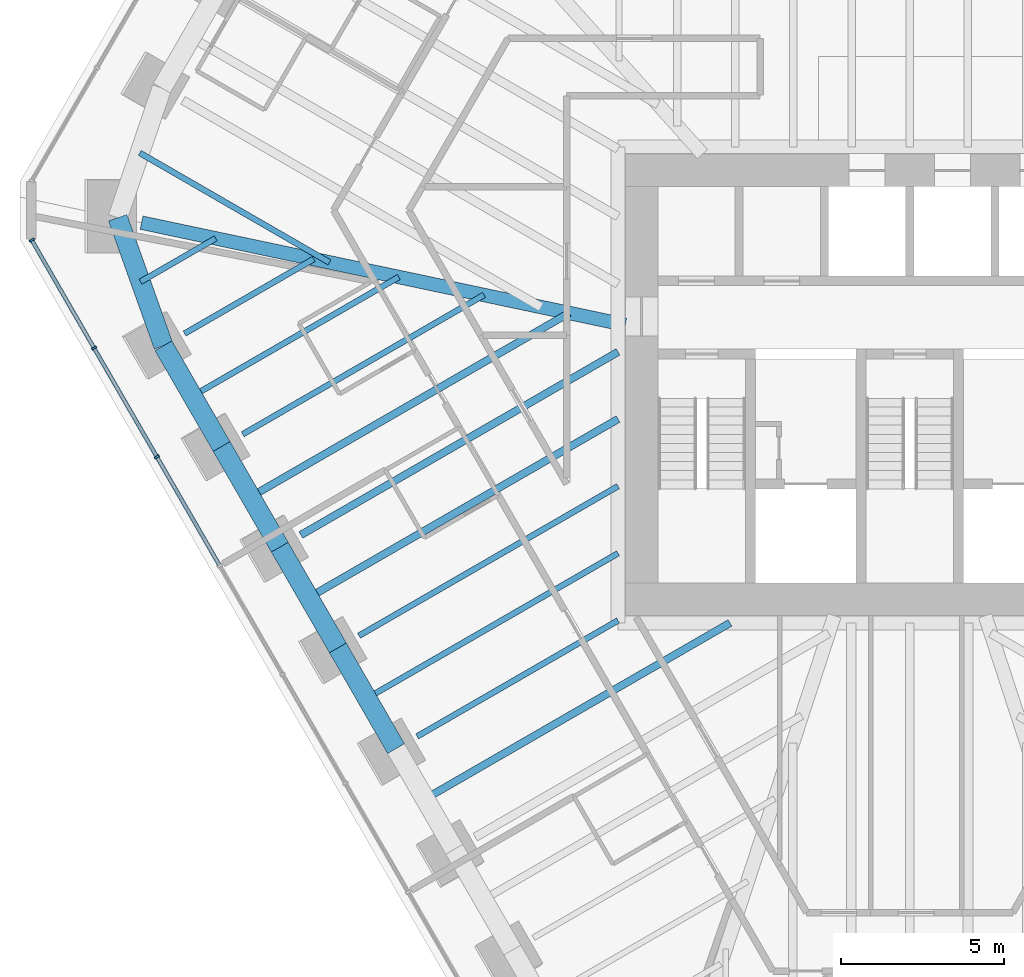
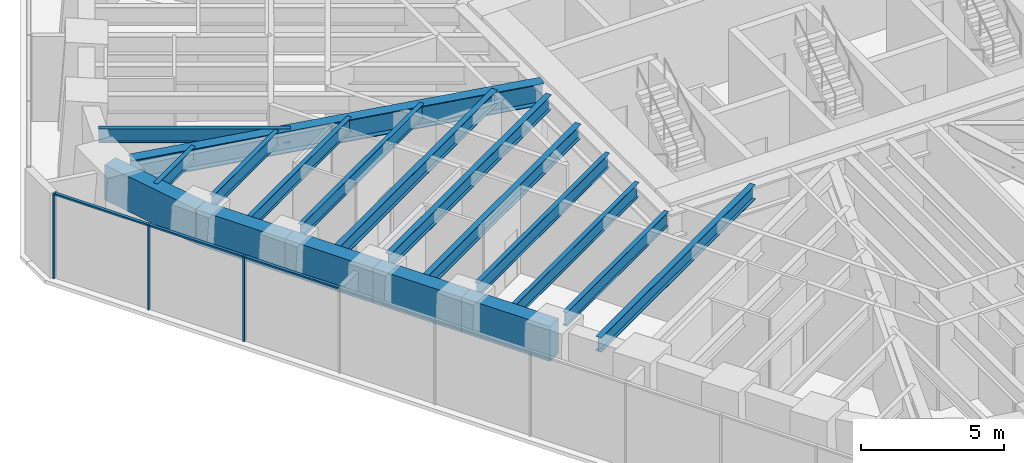
# One storey, part 3 of 17: 18 beams, 6 members, 1 element without a shape of its own.
"""IFC4 building model written with IfcOpenShell, lengths in metres."""

from ifc_helpers import new_model, si_unit, direction, frame, origin, origin_2d, place, context, subcontext, project, spatial, rectangle, i_section, extrude, material, material_profile, profile_set, type_object, element, aggregate, save


model = new_model("IFC4")

# Units and contexts
model_context = context("Model", 3, precision=1e-05, world=origin(), true_north=direction((0.0, 1.0)))
body_context = subcontext(model_context, "Body", "Model", "MODEL_VIEW")
ifc_project = project(units=[si_unit("LENGTHUNIT", "METRE"), si_unit("AREAUNIT", "SQUARE_METRE"), si_unit("VOLUMEUNIT", "CUBIC_METRE"), si_unit("PLANEANGLEUNIT", "RADIAN"), si_unit("MASSUNIT", "GRAM", prefix="KILO")], contexts=[model_context])

# Site, building, storey
site_placement = place(None, origin())
site = spatial("IfcSite", under=ifc_project, at=site_placement, CompositionType="ELEMENT")
building_placement = place(site_placement, origin())
building = spatial("IfcBuilding", under=site, at=building_placement, Name="Sandreach Pilgrim Tower", CompositionType="ELEMENT")
storey_placement = place(building_placement, frame((0.0, 0.0, 240.199951171875)))
storey = spatial("IfcBuildingStorey", under=building, at=storey_placement, Name="L60", CompositionType="ELEMENT", Elevation=240.199951171875)

# Curtain wall, members
ifc_material_1 = material(Name="Aluminium framed curtain wall", Category="aluminium")
curtain_wall_type = type_object("IfcCurtainWallType", Name="Upper hotel tower curtain wall", PredefinedType="NOTDEFINED", material=ifc_material_1)
curtain_wall_placement = place(storey_placement, origin())
curtain_wall = element("IfcCurtainWall", 1, at=curtain_wall_placement, inside=storey, type_object=curtain_wall_type, Name="CW-3 L60 SW", PredefinedType="NOTDEFINED")
ifc_material_2 = material(Name="Aluminium extrusion", Category="aluminium")
ifc_material_profile_1 = material_profile(ifc_material_2, rectangle(XDim=0.06494140625, YDim=0.159912109375, at=origin_2d()), Name="CW-3M 65X160")
ifc_profile_set_1 = profile_set([ifc_material_profile_1], Name="Aluminium extrusion")
member_type_1 = type_object("IfcMemberType", Name="CW-3 mullion", PredefinedType="MULLION", material=ifc_profile_set_1)
member_1_placement = place(storey_placement, frame((-23.15576171875, -2.21337890625, 0.0), z_axis=(0.0, 0.0, 1.0), x_axis=(-0.5, 0.866025403784, 0.0)))
member_1 = element("IfcMember", 2, at=member_1_placement, type_object=member_type_1, Name="CW-3 mullion 8", PredefinedType="MULLION", context=body_context, shape_type="SweptSolid", body=[
    extrude(rectangle(XDim=0.06494140625, YDim=0.159912109375, at=origin_2d()), origin(), (0.0, 0.0, 1.0), 3.64013671875),
])
member_2_placement = place(storey_placement, frame((-25.087890625, 1.13330078125, 0.0), z_axis=(0.0, 0.0, 1.0), x_axis=(-0.5, 0.866025403784, 0.0)))
member_2 = element("IfcMember", 3, at=member_2_placement, type_object=member_type_1, Name="CW-3 mullion 9", PredefinedType="MULLION", context=body_context, shape_type="SweptSolid", body=[
    extrude(rectangle(XDim=0.06494140625, YDim=0.159912109375, at=origin_2d()), origin(), (0.0, 0.0, 1.0), 3.64013671875),
])
member_3_placement = place(storey_placement, frame((-27.00390625, 4.451904296875, 0.0), z_axis=(0.0, 0.0, 1.0), x_axis=(-0.5, 0.866025403784, 0.0)))
member_3 = element("IfcMember", 4, at=member_3_placement, type_object=member_type_1, Name="CW-3 mullion 10", PredefinedType="MULLION", context=body_context, shape_type="SweptSolid", body=[
    extrude(rectangle(XDim=0.06494140625, YDim=0.159912109375, at=origin_2d()), origin(), (0.0, 0.0, 1.0), 3.64013671875),
])
ifc_material_3 = material(Name="Aluminium extrusion", Category="aluminium")
ifc_material_profile_2 = material_profile(ifc_material_3, rectangle(XDim=0.1201171875, YDim=0.070068359375, at=origin_2d()), Name="CW-3T 120X70")
ifc_profile_set_2 = profile_set([ifc_material_profile_2], Name="Aluminium extrusion")
member_type_2 = type_object("IfcMemberType", Name="CW-3 transom", PredefinedType="USERDEFINED", material=ifc_profile_set_2)
member_4_placement = place(storey_placement, frame((-21.23974609375, -5.531982421875, 3.60498046875), z_axis=(-0.499974606132, 0.866040064445, 0.0), x_axis=(-0.866040064445, -0.499974606132, 0.0)))
member_4 = element("IfcMember", 5, at=member_4_placement, type_object=member_type_2, Name="CW-3 head transom 7", ObjectType="TRANSOM", PredefinedType="USERDEFINED", context=body_context, shape_type="SweptSolid", body=[
    extrude(rectangle(XDim=0.1201171875, YDim=0.070068359375, at=origin_2d()), origin(), (0.0, 0.0, 1.0), 3.799560546875),
])
member_5_placement = place(storey_placement, frame((-23.171875, -2.185302734375, 3.60498046875), z_axis=(-0.500022797313, 0.86601224135, 0.0), x_axis=(-0.86601224135, -0.500022797313, 0.0)))
member_5 = element("IfcMember", 6, at=member_5_placement, type_object=member_type_2, Name="CW-3 head transom 8", ObjectType="TRANSOM", PredefinedType="USERDEFINED", context=body_context, shape_type="SweptSolid", body=[
    extrude(rectangle(XDim=0.1201171875, YDim=0.070068359375, at=origin_2d()), origin(), (0.0, 0.0, 1.0), 3.799560546875),
])
member_6_placement = place(storey_placement, frame((-25.104248046875, 1.161376953125, 3.60498046875), z_axis=(-0.499944992379, 0.86605716012, 0.0), x_axis=(-0.86605716012, -0.499944992379, 0.0)))
member_6 = element("IfcMember", 7, at=member_6_placement, type_object=member_type_2, Name="CW-3 head transom 9", ObjectType="TRANSOM", PredefinedType="USERDEFINED", context=body_context, shape_type="SweptSolid", body=[
    extrude(rectangle(XDim=0.1201171875, YDim=0.070068359375, at=origin_2d()), origin(), (0.0, 0.0, 1.0), 3.76708984375),
])
aggregate(curtain_wall, [member_1, member_2, member_3, member_4, member_5, member_6])

# Beams
ifc_material_4 = material(Name="Steel ASTM A992 Grade 50", Category="steel")
ifc_material_profile_3 = material_profile(ifc_material_4, i_section(OverallWidth=0.419189453125, OverallDepth=0.927001953125, WebThickness=0.019287109375, FlangeThickness=0.031982421875, at=origin_2d()), Name="W36X231")
ifc_profile_set_3 = profile_set([ifc_material_profile_3], Name="Steel ASTM A992 Grade 50")
beam_type_1 = type_object("IfcBeamType", Name="Corner girder W36X231", PredefinedType="BEAM", material=ifc_profile_set_3)
beam_1_placement = place(storey_placement, frame((-23.628173828125, 4.98876953125, 3.176513671875), z_axis=(0.978428839733, -0.206584136802, 0.0), x_axis=(0.206584136802, 0.978428839733, 0.0)))
element("IfcBeam", 8, at=beam_1_placement, inside=storey, type_object=beam_type_1, Name="BM L60 CG35", PredefinedType="BEAM", context=body_context, shape_type="SweptSolid", body=[
    extrude(i_section(OverallWidth=0.419189453125, OverallDepth=0.927001953125, WebThickness=0.019287109375, FlangeThickness=0.031982421875, at=origin_2d()), origin(), (0.0, 0.0, 1.0), 15.206298828125),
])
ifc_material_5 = material(Name="Steel ASTM A992 Grade 50", Category="steel")
ifc_material_profile_4 = material_profile(ifc_material_5, i_section(OverallWidth=0.1787109375, OverallDepth=0.60205078125, WebThickness=0.010986328125, FlangeThickness=0.014892578125, at=origin_2d()), Name="W24X62")
ifc_profile_set_4 = profile_set([ifc_material_profile_4], Name="Steel ASTM A992 Grade 50")
beam_type_2 = type_object("IfcBeamType", Name="Floor beam W24X62", PredefinedType="BEAM", material=ifc_profile_set_4)
beam_2_placement = place(storey_placement, frame((-15.150634765625, -10.812255859375, 3.339111328125), z_axis=(0.866025452127, 0.499999916269, 0.0), x_axis=(-0.499999916269, 0.866025452127, 0.0)))
element("IfcBeam", 9, at=beam_2_placement, inside=storey, type_object=beam_type_2, Name="BM L60 F30", PredefinedType="BEAM", context=body_context, shape_type="SweptSolid", body=[
    extrude(i_section(OverallWidth=0.1787109375, OverallDepth=0.60205078125, WebThickness=0.010986328125, FlangeThickness=0.014892578125, at=origin_2d()), origin(), (0.0, 0.0, 1.0), 7.13427734375),
])
beam_3_placement = place(storey_placement, frame((-16.93896484375, -7.714599609375, 3.339111328125), z_axis=(0.86602648383, 0.499998129301, 0.0), x_axis=(-0.499998129301, 0.86602648383, 0.0)))
element("IfcBeam", 10, at=beam_3_placement, inside=storey, type_object=beam_type_2, Name="BM L60 F31", PredefinedType="BEAM", context=body_context, shape_type="SweptSolid", body=[
    extrude(i_section(OverallWidth=0.1787109375, OverallDepth=0.60205078125, WebThickness=0.010986328125, FlangeThickness=0.014892578125, at=origin_2d()), origin(), (0.0, 0.0, 1.0), 9.19921875),
])
beam_4_placement = place(storey_placement, frame((-20.515869140625, -1.519287109375, 3.339111328125), z_axis=(0.866025207386, 0.500000340173, 0.0), x_axis=(-0.500000340173, 0.866025207386, 0.0)))
element("IfcBeam", 11, at=beam_4_placement, inside=storey, type_object=beam_type_2, Name="BM L60 F33", PredefinedType="BEAM", context=body_context, shape_type="SweptSolid", body=[
    extrude(i_section(OverallWidth=0.1787109375, OverallDepth=0.60205078125, WebThickness=0.010986328125, FlangeThickness=0.014892578125, at=origin_2d()), origin(), (0.0, 0.0, 1.0), 8.568359375),
])
beam_5_placement = place(storey_placement, frame((-22.304443359375, 1.578369140625, 3.339111328125), z_axis=(0.866025975094, 0.499999010461, 0.0), x_axis=(-0.499999010461, 0.866025975094, 0.0)))
element("IfcBeam", 12, at=beam_5_placement, inside=storey, type_object=beam_type_2, Name="BM L60 F34", PredefinedType="BEAM", context=body_context, shape_type="SweptSolid", body=[
    extrude(i_section(OverallWidth=0.1787109375, OverallDepth=0.60205078125, WebThickness=0.010986328125, FlangeThickness=0.014892578125, at=origin_2d()), origin(), (0.0, 0.0, 1.0), 4.5849609375),
])
beam_6_placement = place(storey_placement, frame((-16.6943359375, -9.638427734375, 3.339111328125), z_axis=(0.866020531195, 0.500008439478, 0.0), x_axis=(-0.500008439478, 0.866020531195, 0.0)))
element("IfcBeam", 13, at=beam_6_placement, inside=storey, type_object=beam_type_2, Name="BM L60 FM30", PredefinedType="BEAM", context=body_context, shape_type="SweptSolid", body=[
    extrude(i_section(OverallWidth=0.1787109375, OverallDepth=0.60205078125, WebThickness=0.010986328125, FlangeThickness=0.014892578125, at=origin_2d()), origin(), (0.0, 0.0, 1.0), 8.916748046875),
])
beam_7_placement = place(storey_placement, frame((-22.0595703125, -0.345458984375, 3.339111328125), z_axis=(0.866021885163, 0.500006094381, 0.0), x_axis=(-0.500006094381, 0.866021885163, 0.0)))
element("IfcBeam", 14, at=beam_7_placement, inside=storey, type_object=beam_type_2, Name="BM L60 FM33", PredefinedType="BEAM", context=body_context, shape_type="SweptSolid", body=[
    extrude(i_section(OverallWidth=0.1787109375, OverallDepth=0.60205078125, WebThickness=0.010986328125, FlangeThickness=0.014892578125, at=origin_2d()), origin(), (0.0, 0.0, 1.0), 7.32666015625),
])
beam_8_placement = place(storey_placement, frame((-23.657958984375, 3.17333984375, 3.339111328125), z_axis=(0.865981341435, 0.500076310463, 0.0), x_axis=(-0.500076310463, 0.865981341435, 0.0)))
element("IfcBeam", 15, at=beam_8_placement, inside=storey, type_object=beam_type_2, Name="BM L60 FM34", PredefinedType="BEAM", context=body_context, shape_type="SweptSolid", body=[
    extrude(i_section(OverallWidth=0.1787109375, OverallDepth=0.60205078125, WebThickness=0.010986328125, FlangeThickness=0.014892578125, at=origin_2d()), origin(), (0.0, 0.0, 1.0), 2.66748046875),
])
beam_9_placement = place(storey_placement, frame((-23.682861328125, 7.13623046875, 3.339111328125), z_axis=(0.866032863903, -0.499987078473, 0.0), x_axis=(0.499987078473, 0.866032863903, 0.0)))
element("IfcBeam", 16, at=beam_9_placement, inside=storey, type_object=beam_type_2, Name="BM L60 FM35", PredefinedType="BEAM", context=body_context, shape_type="SweptSolid", body=[
    extrude(i_section(OverallWidth=0.1787109375, OverallDepth=0.60205078125, WebThickness=0.010986328125, FlangeThickness=0.014892578125, at=origin_2d()), origin(), (0.0, 0.0, 1.0), 6.735107421875),
])
ifc_material_6 = material(Name="Steel ASTM A992 Grade 50", Category="steel")
ifc_material_profile_5 = material_profile(ifc_material_6, i_section(OverallWidth=0.23046875, OverallDepth=0.6171875, WebThickness=0.01318359375, FlangeThickness=0.022216796875, at=origin_2d()), Name="W24X94")
ifc_profile_set_5 = profile_set([ifc_material_profile_5], Name="Steel ASTM A992 Grade 50")
beam_type_3 = type_object("IfcBeamType", Name="Floor beam W24X94", PredefinedType="BEAM", material=ifc_profile_set_5)
beam_10_placement = place(storey_placement, frame((-18.7275390625, -4.616943359375, 3.33154296875), z_axis=(0.866023170714, 0.500003867771, 0.0), x_axis=(-0.500003867771, 0.866023170714, 0.0)))
element("IfcBeam", 17, at=beam_10_placement, inside=storey, type_object=beam_type_3, Name="BM L60 F32", PredefinedType="BEAM", context=body_context, shape_type="SweptSolid", body=[
    extrude(i_section(OverallWidth=0.23046875, OverallDepth=0.6171875, WebThickness=0.01318359375, FlangeThickness=0.022216796875, at=origin_2d()), origin(), (0.0, 0.0, 1.0), 11.2646484375),
])
beam_11_placement = place(storey_placement, frame((-14.906005859375, -12.736083984375, 3.33154296875), z_axis=(0.866025636532, 0.499999596869, 0.0), x_axis=(-0.499999596869, 0.866025636532, 0.0)))
element("IfcBeam", 18, at=beam_11_placement, inside=storey, type_object=beam_type_3, Name="BM L60 FM29", PredefinedType="BEAM", context=body_context, shape_type="SweptSolid", body=[
    extrude(i_section(OverallWidth=0.23046875, OverallDepth=0.6171875, WebThickness=0.01318359375, FlangeThickness=0.022216796875, at=origin_2d()), origin(), (0.0, 0.0, 1.0), 10.828125),
])
beam_12_placement = place(storey_placement, frame((-18.48291015625, -6.540771484375, 3.33154296875), z_axis=(0.866027878559, 0.49999571354, 0.0), x_axis=(-0.49999571354, 0.866027878559, 0.0)))
element("IfcBeam", 19, at=beam_12_placement, inside=storey, type_object=beam_type_3, Name="BM L60 FM31", PredefinedType="BEAM", context=body_context, shape_type="SweptSolid", body=[
    extrude(i_section(OverallWidth=0.23046875, OverallDepth=0.6171875, WebThickness=0.01318359375, FlangeThickness=0.022216796875, at=origin_2d()), origin(), (0.0, 0.0, 1.0), 10.98193359375),
])
beam_13_placement = place(storey_placement, frame((-20.271240234375, -3.443115234375, 3.33154296875), z_axis=(0.866028140569, 0.499995259721, 0.0), x_axis=(-0.499995259721, 0.866028140569, 0.0)))
element("IfcBeam", 20, at=beam_13_placement, inside=storey, type_object=beam_type_3, Name="BM L60 FM32", PredefinedType="BEAM", context=body_context, shape_type="SweptSolid", body=[
    extrude(i_section(OverallWidth=0.23046875, OverallDepth=0.6171875, WebThickness=0.01318359375, FlangeThickness=0.022216796875, at=origin_2d()), origin(), (0.0, 0.0, 1.0), 11.31005859375),
])
ifc_material_7 = material(Name="Concrete 10000 psi", Category="concrete")
ifc_material_profile_6 = material_profile(ifc_material_7, rectangle(XDim=0.60009765625, YDim=1.5, at=origin_2d()), Name="RC600X1500")
ifc_profile_set_6 = profile_set([ifc_material_profile_6], Name="Concrete 10000 psi")
beam_type_4 = type_object("IfcBeamType", Name="Spandrel beam RC600X1500", PredefinedType="SPANDREL", material=ifc_profile_set_6)
for number, where, z_axis, x_axis, name in (
    (21, (-15.800048828125, -11.187255859375, 2.89013671875), (-0.500029679218, 0.866008267802, 0.0), (-0.866008267802, -0.500029679218, 0.0), "BM L60 SP30"),
    (22, (-17.588623046875, -8.089599609375, 2.89013671875), (-0.499978488034, 0.866037823368, 0.0), (-0.866037823368, -0.499978488034, 0.0), "BM L60 SP31"),
    (23, (-19.376953125, -4.991943359375, 2.89013671875), (-0.500029679218, 0.866008267802, 0.0), (-0.866008267802, -0.500029679218, 0.0), "BM L60 SP32"),
    (24, (-21.16552734375, -1.894287109375, 2.89013671875), (-0.499978488034, 0.866037823368, 0.0), (-0.866037823368, -0.499978488034, 0.0), "BM L60 SP33"),
):
    element("IfcBeam", number, at=place(storey_placement, frame(where, z_axis=z_axis, x_axis=x_axis)), inside=storey, type_object=beam_type_4, Name=name, PredefinedType="SPANDREL", context=body_context, shape_type="SweptSolid", body=[
        extrude(rectangle(XDim=0.60009765625, YDim=1.5, at=origin_2d()), origin(), (0.0, 0.0, 1.0), 3.576904296875),
    ])
beam_14_placement = place(storey_placement, frame((-22.953857421875, 1.203369140625, 2.89013671875), z_axis=(-0.336495332245, 0.941685133883, 0.0), x_axis=(-0.941685133883, -0.336495332245, 0.0)))
element("IfcBeam", 25, at=beam_14_placement, inside=storey, type_object=beam_type_4, Name="BM L60 SP34", PredefinedType="SPANDREL", context=body_context, shape_type="SweptSolid", body=[
    extrude(rectangle(XDim=0.60009765625, YDim=1.5, at=origin_2d()), origin(), (0.0, 0.0, 1.0), 4.18408203125),
])

save(model, "model.ifc")
